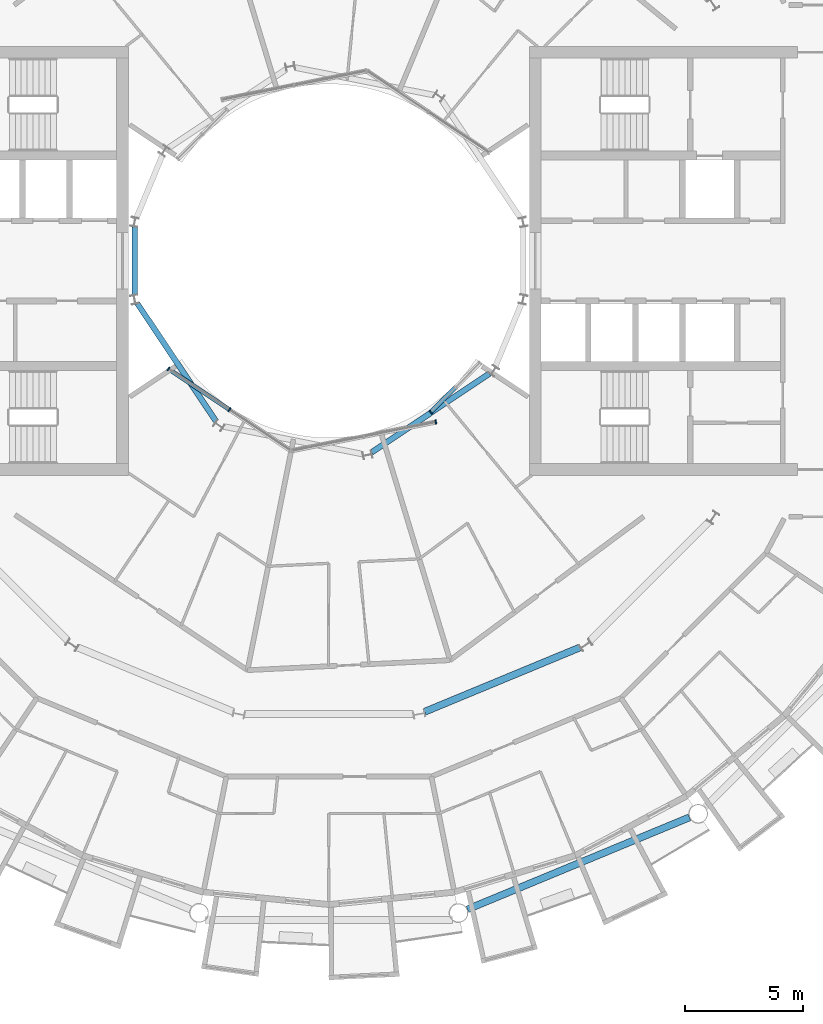
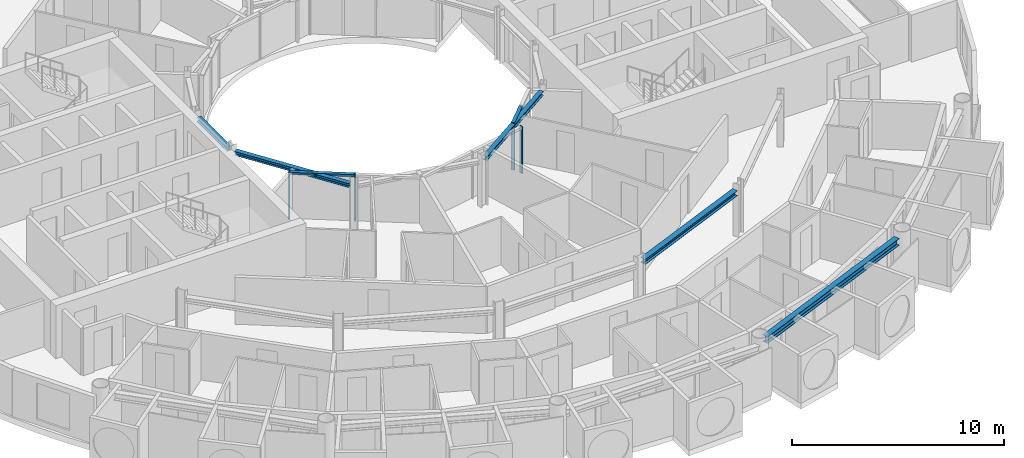
# One storey, part 6 of 27: 6 members, 5 beams, 3 elements without a shape of their own.
"""IFC4 building model written with IfcOpenShell, lengths in metres."""

from ifc_helpers import new_model, si_unit, direction, frame, origin, origin_2d, place, context, subcontext, project, spatial, rectangle, i_section, extrude, material, layer, layer_set, material_profile, profile_set, type_object, element, aggregate, save


model = new_model("IFC4")

# Units and contexts
model_context = context("Model", 3, precision=1e-05, world=origin(), true_north=direction((0.0, 1.0)))
body_context = subcontext(model_context, "Body", "Model", "MODEL_VIEW")
ifc_project = project(units=[si_unit("LENGTHUNIT", "METRE"), si_unit("AREAUNIT", "SQUARE_METRE"), si_unit("VOLUMEUNIT", "CUBIC_METRE"), si_unit("PLANEANGLEUNIT", "RADIAN"), si_unit("MASSUNIT", "GRAM", prefix="KILO")], contexts=[model_context])

# Site, building, storey
site_placement = place(None, origin())
site = spatial("IfcSite", under=ifc_project, at=site_placement, CompositionType="ELEMENT")
building_placement = place(site_placement, origin())
building = spatial("IfcBuilding", under=site, at=building_placement, Name="Maasbend Ring Residences", CompositionType="ELEMENT")
storey_placement = place(building_placement, frame((0.0, 0.0, 167.699951171875)))
storey = spatial("IfcBuildingStorey", under=building, at=storey_placement, Name="L48", CompositionType="ELEMENT", Elevation=167.699951171875)

# Curtain wall, members
ifc_material_1 = material(Name="Aluminium and clear glass", Category="aluminium")
ifc_layer = layer(ifc_material_1, 0.179931640625)
ifc_layer_set = layer_set([ifc_layer], Name="CW-W")
curtain_wall_type = type_object("IfcCurtainWallType", Name="CW-W", PredefinedType="NOTDEFINED", material=ifc_layer_set)
curtain_wall_1_placement = place(storey_placement, origin())
curtain_wall_1 = element("IfcCurtainWall", 1, at=curtain_wall_1_placement, inside=storey, type_object=curtain_wall_type, Name="Well curtain wall S1", PredefinedType="NOTDEFINED")
ifc_material_2 = material(Name="Aluminium 6063-T6", Category="aluminium")
ifc_material_profile_1 = material_profile(ifc_material_2, rectangle(XDim=0.179931640625, YDim=0.06005859375, at=origin_2d()), Name="AL 180x60")
ifc_profile_set_1 = profile_set([ifc_material_profile_1], Name="Aluminium 6063-T6")
member_type_1 = type_object("IfcMemberType", Name="CWM-W", PredefinedType="MULLION", material=ifc_profile_set_1)
member_1_placement = place(storey_placement, frame((-6.805908203125, -4.580810546875, 0.0), z_axis=(0.0, 0.0, 1.0), x_axis=(0.55557023302, 0.831469612303, 0.0)))
member_1 = element("IfcMember", 2, at=member_1_placement, type_object=member_type_1, Name="Mullion well face", PredefinedType="MULLION", context=body_context, shape_type="SweptSolid", body=[
    extrude(rectangle(XDim=0.179931640625, YDim=0.06005859375, at=origin_2d()), origin(), (0.0, 0.0, 1.0), 2.699951171875),
])
member_2_placement = place(storey_placement, frame((-4.216796875, -6.310791015625, 0.0), z_axis=(0.0, 0.0, 1.0), x_axis=(0.55557023302, 0.831469612303, 0.0)))
member_2 = element("IfcMember", 3, at=member_2_placement, type_object=member_type_1, Name="Mullion well face", PredefinedType="MULLION", context=body_context, shape_type="SweptSolid", body=[
    extrude(rectangle(XDim=0.179931640625, YDim=0.06005859375, at=origin_2d()), origin(), (0.0, 0.0, 1.0), 2.699951171875),
])

# Curtain wall, member
curtain_wall_2_placement = place(storey_placement, origin())
curtain_wall_2 = element("IfcCurtainWall", 4, at=curtain_wall_2_placement, inside=storey, type_object=curtain_wall_type, Name="Well curtain wall S2", PredefinedType="NOTDEFINED")
member_3_placement = place(storey_placement, frame((4.53466796875, -6.836669921875, 0.0), z_axis=(0.0, 0.0, 1.0), x_axis=(-0.195090322016, 0.980785280403, 0.0)))
member_3 = element("IfcMember", 5, at=member_3_placement, type_object=member_type_1, Name="Mullion well face", PredefinedType="MULLION", context=body_context, shape_type="SweptSolid", body=[
    extrude(rectangle(XDim=0.179931640625, YDim=0.06005859375, at=origin_2d()), origin(), (0.0, 0.0, 1.0), 2.699951171875),
])
aggregate(curtain_wall_2, [member_3])

curtain_wall_3_placement = place(storey_placement, origin())
curtain_wall_3 = element("IfcCurtainWall", 6, at=curtain_wall_3_placement, inside=storey, type_object=curtain_wall_type, Name="Well curtain wall S3", PredefinedType="NOTDEFINED")
member_4_placement = place(storey_placement, frame((4.320556640625, -6.413330078125, 0.0), z_axis=(0.0, 0.0, 1.0), x_axis=(-0.707106781187, 0.707106781187, 0.0)))
member_4 = element("IfcMember", 7, at=member_4_placement, type_object=member_type_1, Name="Mullion well face", PredefinedType="MULLION", context=body_context, shape_type="SweptSolid", body=[
    extrude(rectangle(XDim=0.179931640625, YDim=0.06005859375, at=origin_2d()), origin(), (0.0, 0.0, 1.0), 2.699951171875),
])

# Member
ifc_material_3 = material(Name="Aluminium 6063-T6", Category="aluminium")
ifc_material_profile_2 = material_profile(ifc_material_3, rectangle(XDim=0.179931640625, YDim=0.1201171875, at=origin_2d()), Name="AL 180x120")
ifc_profile_set_2 = profile_set([ifc_material_profile_2], Name="Aluminium 6063-T6")
member_type_2 = type_object("IfcMemberType", Name="CWT-W", PredefinedType="USERDEFINED", material=ifc_profile_set_2)
member_5_placement = place(storey_placement, frame((-6.781005859375, -4.59765625, 2.64013671875), z_axis=(0.831496422459, -0.555530106689, 0.0), x_axis=(0.555530106689, 0.831496422459, 0.0)))
member_5 = element("IfcMember", 8, at=member_5_placement, type_object=member_type_2, Name="Transom well face", ObjectType="TRANSOM", PredefinedType="USERDEFINED", context=body_context, shape_type="SweptSolid", body=[
    extrude(rectangle(XDim=0.179931640625, YDim=0.1201171875, at=origin_2d()), origin(), (0.0, 0.0, 1.0), 3.053955078125),
])

aggregate(curtain_wall_1, [member_1, member_2, member_5])

member_6_placement = place(storey_placement, frame((4.341796875, -6.39208984375, 2.64013671875), z_axis=(0.707106781187, 0.707106781187, 0.0), x_axis=(-0.707106781187, 0.707106781187, 0.0)))
member_6 = element("IfcMember", 9, at=member_6_placement, type_object=member_type_2, Name="Transom well face", ObjectType="TRANSOM", PredefinedType="USERDEFINED", context=body_context, shape_type="SweptSolid", body=[
    extrude(rectangle(XDim=0.179931640625, YDim=0.1201171875, at=origin_2d()), origin(), (0.0, 0.0, 1.0), 1.419677734375),
])

aggregate(curtain_wall_3, [member_4, member_6])

# Beams
ifc_material_4 = material(Name="Steel S355J2", Category="steel")
ifc_material_profile_3 = material_profile(ifc_material_4, i_section(OverallWidth=0.300048828125, OverallDepth=0.2900390625, WebThickness=0.008544921875, FlangeThickness=0.013916015625, FilletRadius=0.027099609375, at=origin_2d()), Name="HEA 300")
ifc_profile_set_3 = profile_set([ifc_material_profile_3], Name="Steel S355J2")
beam_type_1 = type_object("IfcBeamType", Name="Corridor ring beam HEA 300", PredefinedType="BEAM", material=ifc_profile_set_3)
beam_1_placement = place(storey_placement, frame((4.059326171875, -19.1259765625, 2.554931640625), z_axis=(0.923871339849, 0.382703210602, 0.0), x_axis=(-0.382703210602, 0.923871339849, 0.0)))
element("IfcBeam", 10, at=beam_1_placement, inside=storey, type_object=beam_type_1, Name="Corridor ring beam", PredefinedType="BEAM", context=body_context, shape_type="SweptSolid", body=[
    extrude(i_section(OverallWidth=0.300048828125, OverallDepth=0.2900390625, WebThickness=0.008544921875, FlangeThickness=0.013916015625, FilletRadius=0.027099609375, at=origin_2d()), origin(), (0.0, 0.0, 1.0), 7.137939453125),
])
ifc_material_5 = material(Name="Steel S355J2", Category="steel")
ifc_material_profile_4 = material_profile(ifc_material_5, i_section(OverallWidth=0.300048828125, OverallDepth=0.39990234375, WebThickness=0.013427734375, FlangeThickness=0.02392578125, FilletRadius=0.027099609375, at=origin_2d()), Name="HEB 400")
ifc_profile_set_4 = profile_set([ifc_material_profile_4], Name="Steel S355J2")
beam_type_2 = type_object("IfcBeamType", Name="Spandrel ring beam HEB 400", PredefinedType="SPANDREL", material=ifc_profile_set_4)
beam_2_placement = place(storey_placement, frame((5.877197265625, -27.50244140625, 2.5), z_axis=(0.923883676188, 0.382673428492, 0.0), x_axis=(-0.382673428492, 0.923883676188, 0.0)))
element("IfcBeam", 11, at=beam_2_placement, inside=storey, type_object=beam_type_2, Name="Spandrel ring beam", PredefinedType="SPANDREL", context=body_context, shape_type="SweptSolid", body=[
    extrude(i_section(OverallWidth=0.300048828125, OverallDepth=0.39990234375, WebThickness=0.013427734375, FlangeThickness=0.02392578125, FilletRadius=0.027099609375, at=origin_2d()), origin(), (0.0, 0.0, 1.0), 10.18994140625),
])
ifc_material_6 = material(Name="Steel S355J2", Category="steel")
ifc_material_profile_5 = material_profile(ifc_material_6, i_section(OverallWidth=0.239990234375, OverallDepth=0.22998046875, WebThickness=0.007568359375, FlangeThickness=0.011962890625, FilletRadius=0.02099609375, at=origin_2d()), Name="HEA 240")
ifc_profile_set_5 = profile_set([ifc_material_profile_5], Name="Steel S355J2")
beam_type_3 = type_object("IfcBeamType", Name="Well edge beam HEA 240", PredefinedType="BEAM", material=ifc_profile_set_5)
beam_3_placement = place(storey_placement, frame((-8.238525390625, 1.43994140625, 2.5849609375), z_axis=(0.0, -1.0, 0.0), x_axis=(1.0, 0.0, 0.0)))
element("IfcBeam", 12, at=beam_3_placement, inside=storey, type_object=beam_type_3, Name="Well edge beam", PredefinedType="BEAM", context=body_context, shape_type="SweptSolid", body=[
    extrude(i_section(OverallWidth=0.239990234375, OverallDepth=0.22998046875, WebThickness=0.007568359375, FlangeThickness=0.011962890625, FilletRadius=0.02099609375, at=origin_2d()), origin(), (0.0, 0.0, 1.0), 2.8798828125),
])
for number, where, z_axis, x_axis, name in (
    (13, (-8.121337890625, -1.814208984375, 2.5849609375), (0.555553413909, -0.831480850227, 0.0), (0.831480850227, 0.555553413909, 0.0), "Well edge beam"),
    (14, (1.814208984375, -8.121337890625, 2.5849609375), (0.831480850227, 0.555553413909, 0.0), (-0.555553413909, 0.831480850227, 0.0), "Well edge beam"),
):
    element("IfcBeam", number, at=place(storey_placement, frame(where, z_axis=z_axis, x_axis=x_axis)), inside=storey, type_object=beam_type_3, Name=name, PredefinedType="BEAM", context=body_context, shape_type="SweptSolid", body=[
        extrude(i_section(OverallWidth=0.239990234375, OverallDepth=0.22998046875, WebThickness=0.007568359375, FlangeThickness=0.011962890625, FilletRadius=0.02099609375, at=origin_2d()), origin(), (0.0, 0.0, 1.0), 6.0068359375),
    ])

save(model, "model.ifc")
